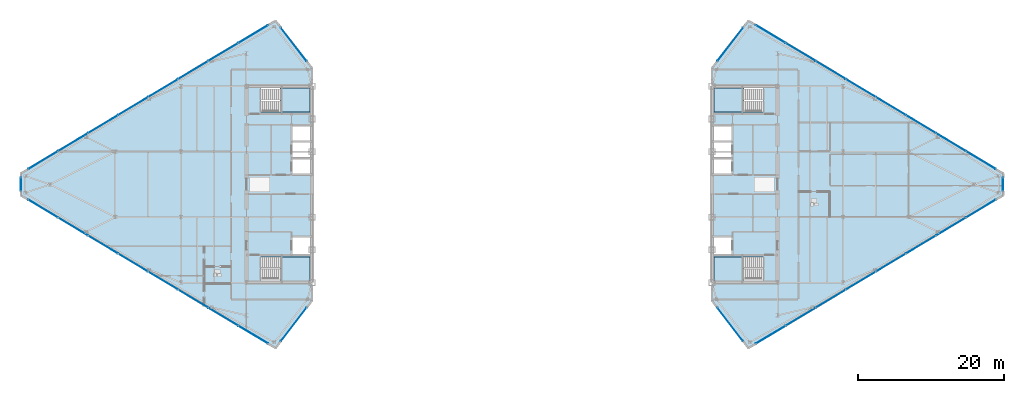
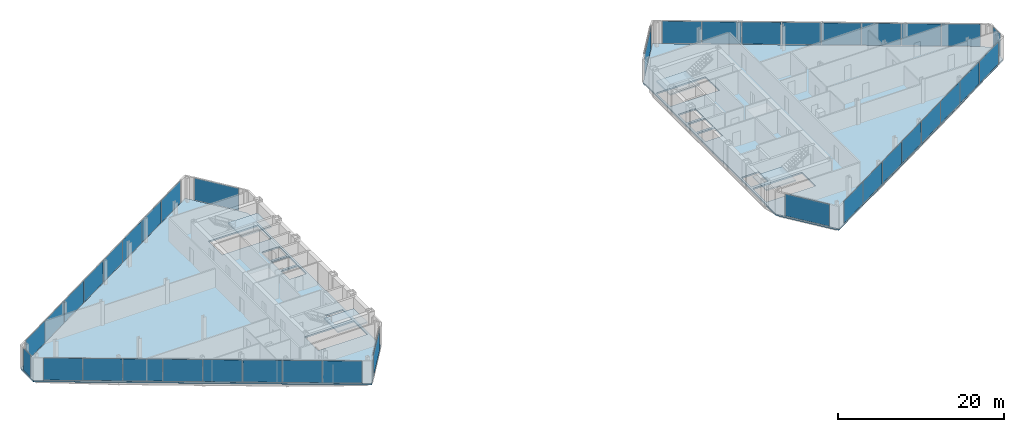
# One storey, part 18 of 25: 38 plates, 6 slabs, 14 elements without a shape of their own.
"""IFC4 building model written with IfcOpenShell, lengths in metres."""

from ifc_helpers import new_model, si_unit, direction, frame, origin, origin_2d, place, context, subcontext, project, spatial, polyline, rectangle, outline, extrude, source, transform, mapped, material, layer, layer_set, type_object, type_shapes, element, aggregate, save


model = new_model("IFC4")

# Units and contexts
model_context = context("Model", 3, precision=1e-05, world=origin(), true_north=direction((0.0, 1.0)))
body_context = subcontext(model_context, "Body", "Model", "MODEL_VIEW")
ifc_project = project(units=[si_unit("LENGTHUNIT", "METRE"), si_unit("AREAUNIT", "SQUARE_METRE"), si_unit("VOLUMEUNIT", "CUBIC_METRE"), si_unit("PLANEANGLEUNIT", "RADIAN"), si_unit("MASSUNIT", "GRAM", prefix="KILO")], contexts=[model_context])

# Site, building, storey
site_placement = place(None, origin())
site = spatial("IfcSite", under=ifc_project, at=site_placement, CompositionType="ELEMENT")
building_placement = place(site_placement, origin())
building = spatial("IfcBuilding", under=site, at=building_placement, Name="Seokmaru Belvedere", CompositionType="ELEMENT")
storey_placement = place(building_placement, frame((0.0, 0.0, 203.10009765625)))
storey = spatial("IfcBuildingStorey", under=building, at=storey_placement, Name="L54", CompositionType="ELEMENT", Elevation=203.10009765625)

# Stair, slab
ifc_material_1 = material(Name="Concrete C40 (40 MPa)", Category="concrete")
stair_type = type_object("IfcStairType", Name="Typical Tower Core Dog-Leg Stair 3600", PredefinedType="TWO_STRAIGHT_RUN_STAIR", material=ifc_material_1)
stair_1_placement = place(storey_placement, origin())
stair_1 = element("IfcStair", 1, at=stair_1_placement, inside=storey, type_object=stair_type, Name="L54 Special Escape Stair ST-W1", PredefinedType="TWO_STRAIGHT_RUN_STAIR")
ifc_layer_1 = layer(ifc_material_1, 0.199951171875)
ifc_layer_set_1 = layer_set([ifc_layer_1], Name="Concrete C40 (40 MPa)")
slab_type_1 = type_object("IfcSlabType", Name="Reinforced Concrete Stair Landing Slab 200", PredefinedType="LANDING", material=ifc_layer_set_1)
slab_1_placement = place(storey_placement, frame((0.0, 0.0, 1.599853515625)))
slab_1 = element("IfcSlab", 2, at=slab_1_placement, type_object=slab_type_1, Name="ST-W1 landing 1", PredefinedType="LANDING", context=body_context, shape_type="SweptSolid", body=[
    extrude(outline(polyline([(-31.8798828125, -13.239990234375), (-27.760009765625, -13.239990234375), (-27.760009765625, -9.949951171875), (-31.8798828125, -9.949951171875), (-31.8798828125, -13.239990234375)])), origin(), (0.0, 0.0, 1.0), 0.199951171875),
])
aggregate(stair_1, [slab_1])

stair_2_placement = place(storey_placement, origin())
stair_2 = element("IfcStair", 3, at=stair_2_placement, inside=storey, type_object=stair_type, Name="L54 Special Escape Stair ST-W2", PredefinedType="TWO_STRAIGHT_RUN_STAIR")
slab_2_placement = place(storey_placement, frame((0.0, 0.0, 1.599853515625)))
slab_2 = element("IfcSlab", 4, at=slab_2_placement, type_object=slab_type_1, Name="ST-W2 landing 1", PredefinedType="LANDING", context=body_context, shape_type="SweptSolid", body=[
    extrude(outline(polyline([(-31.8798828125, 9.949951171875), (-27.760009765625, 9.949951171875), (-27.760009765625, 13.239990234375), (-31.8798828125, 13.239990234375), (-31.8798828125, 9.949951171875)])), origin(), (0.0, 0.0, 1.0), 0.199951171875),
])
aggregate(stair_2, [slab_2])

stair_3_placement = place(storey_placement, origin())
stair_3 = element("IfcStair", 5, at=stair_3_placement, inside=storey, type_object=stair_type, Name="L54 Special Escape Stair ST-E1", PredefinedType="TWO_STRAIGHT_RUN_STAIR")
slab_3_placement = place(storey_placement, frame((0.0, 0.0, 1.599853515625)))
slab_3 = element("IfcSlab", 6, at=slab_3_placement, type_object=slab_type_1, Name="ST-E1 landing 1", PredefinedType="LANDING", context=body_context, shape_type="SweptSolid", body=[
    extrude(outline(polyline([(27.760009765625, -13.239990234375), (31.8798828125, -13.239990234375), (31.8798828125, -9.949951171875), (27.760009765625, -9.949951171875), (27.760009765625, -13.239990234375)])), origin(), (0.0, 0.0, 1.0), 0.199951171875),
])
aggregate(stair_3, [slab_3])

stair_4_placement = place(storey_placement, origin())
stair_4 = element("IfcStair", 7, at=stair_4_placement, inside=storey, type_object=stair_type, Name="L54 Special Escape Stair ST-E2", PredefinedType="TWO_STRAIGHT_RUN_STAIR")
slab_4_placement = place(storey_placement, frame((0.0, 0.0, 1.599853515625)))
slab_4 = element("IfcSlab", 8, at=slab_4_placement, type_object=slab_type_1, Name="ST-E2 landing 1", PredefinedType="LANDING", context=body_context, shape_type="SweptSolid", body=[
    extrude(outline(polyline([(27.760009765625, 9.949951171875), (31.8798828125, 9.949951171875), (31.8798828125, 13.239990234375), (27.760009765625, 13.239990234375), (27.760009765625, 9.949951171875)])), origin(), (0.0, 0.0, 1.0), 0.199951171875),
])
aggregate(stair_4, [slab_4])

# Slabs
ifc_layer_2 = layer(ifc_material_1, 0.219970703125)
ifc_layer_set_2 = layer_set([ifc_layer_2], Name="Concrete C40 (40 MPa)")
slab_type_2 = type_object("IfcSlabType", Name="Typical Tower Composite Floor Slab 220", PredefinedType="FLOOR", material=ifc_layer_set_2)
slab_5_placement = place(storey_placement, frame((0.0, 0.0, -0.22021484375)))
element("IfcSlab", 9, at=slab_5_placement, inside=storey, type_object=slab_type_2, Name="L54 West Leg Floor Slab", PredefinedType="FLOOR", context=body_context, shape_type="SweptSolid", body=[
    extrude(outline(polyline([(-27.5, -16.0), (-27.5, 16.0), (-32.5, 22.5), (-67.5, 1.5), (-67.5, -1.5), (-32.5, -22.5), (-27.5, -16.0)]), holes=[polyline([(-34.60009765625, -13.25), (-27.75, -13.25), (-27.75, -9.949951171875), (-34.60009765625, -9.949951171875), (-34.60009765625, -13.25)]), polyline([(-34.60009765625, 9.949951171875), (-27.75, 9.949951171875), (-27.75, 13.25), (-34.60009765625, 13.25), (-34.60009765625, 9.949951171875)]), polyline([(-30.14990234375, -9.550048828125), (-27.75, -9.550048828125), (-27.75, -7.25), (-30.14990234375, -7.25), (-30.14990234375, -9.550048828125)]), polyline([(-30.14990234375, 1.449951171875), (-27.75, 1.449951171875), (-27.75, 3.449951171875), (-30.14990234375, 3.449951171875), (-30.14990234375, 1.449951171875)]), polyline([(-30.14990234375, 3.75), (-27.75, 3.75), (-27.75, 5.75), (-30.14990234375, 5.75), (-30.14990234375, 3.75)]), polyline([(-30.14990234375, 6.050048828125), (-27.75, 6.050048828125), (-27.75, 8.050048828125), (-30.14990234375, 8.050048828125), (-30.14990234375, 6.050048828125)])]), origin(), (0.0, 0.0, 1.0), 0.22021484375),
])
slab_6_placement = place(storey_placement, frame((0.0, 0.0, -0.22021484375)))
element("IfcSlab", 10, at=slab_6_placement, inside=storey, type_object=slab_type_2, Name="L54 East Leg Floor Slab", PredefinedType="FLOOR", context=body_context, shape_type="SweptSolid", body=[
    extrude(outline(polyline([(32.5, -22.5), (67.5, -1.5), (67.5, 1.5), (32.5, 22.5), (27.5, 16.0), (27.5, -16.0), (32.5, -22.5)]), holes=[polyline([(27.75, -13.25), (34.60009765625, -13.25), (34.60009765625, -9.949951171875), (27.75, -9.949951171875), (27.75, -13.25)]), polyline([(27.75, 9.949951171875), (34.60009765625, 9.949951171875), (34.60009765625, 13.25), (27.75, 13.25), (27.75, 9.949951171875)]), polyline([(27.75, -9.550048828125), (30.14990234375, -9.550048828125), (30.14990234375, -7.25), (27.75, -7.25), (27.75, -9.550048828125)]), polyline([(27.75, 1.449951171875), (30.14990234375, 1.449951171875), (30.14990234375, 3.449951171875), (27.75, 3.449951171875), (27.75, 1.449951171875)]), polyline([(27.75, 3.75), (30.14990234375, 3.75), (30.14990234375, 5.75), (27.75, 5.75), (27.75, 3.75)]), polyline([(27.75, 6.050048828125), (30.14990234375, 6.050048828125), (30.14990234375, 8.050048828125), (27.75, 8.050048828125), (27.75, 6.050048828125)])]), origin(), (0.0, 0.0, 1.0), 0.22021484375),
])

# Curtain wall, plate
ifc_material_2 = material(Name="Bronze Triple Insulating Glass", Category="glass")
ifc_layer_3 = layer(ifc_material_2, 0.179931640625)
ifc_layer_set_3 = layer_set([ifc_layer_3], Name="Bronze Triple Insulating Glass")
curtain_wall_type = type_object("IfcCurtainWallType", Name="High-Rise Wind-Corner Curtain Wall System CW-5", PredefinedType="NOTDEFINED", material=ifc_layer_set_3)
curtain_wall_1_placement = place(storey_placement, origin())
curtain_wall_1 = element("IfcCurtainWall", 11, at=curtain_wall_1_placement, inside=storey, type_object=curtain_wall_type, Name="L54 Curtain Wall WF2", PredefinedType="NOTDEFINED")
ifc_layer_4 = layer(ifc_material_2, 0.035888671875)
ifc_layer_set_4 = layer_set([ifc_layer_4], Name="Bronze Triple Insulating Glass")
plate_type = type_object("IfcPlateType", Name="Bronze Triple Vision Glazing Panel 36", PredefinedType="CURTAIN_PANEL", material=ifc_layer_set_4)
shared_shape_1 = source(origin(), body_context, "Body", "SweptSolid", [
    extrude(rectangle(XDim=5.7705078125, YDim=0.035888671875, at=origin_2d()), origin(), (0.0, 0.0, 1.0), 3.25),
])
plate_1_placement = place(storey_placement, frame((-30.0, 19.25, 0.06494140625), z_axis=(0.0, 0.0, 1.0), x_axis=(-0.609701187349, 0.792631353244, 0.0)))
plate_1 = element("IfcPlate", 12, at=plate_1_placement, type_object=plate_type, Name="CW:L54:WF2 Glazing Panel 1-1", PredefinedType="CURTAIN_PANEL", context=body_context, shape_type="MappedRepresentation", body=[
    mapped(shared_shape_1, transform((0.0, 0.0, 0.0), scale=1.0)),
])
aggregate(curtain_wall_1, [plate_1])

curtain_wall_2_placement = place(storey_placement, origin())
curtain_wall_2 = element("IfcCurtainWall", 13, at=curtain_wall_2_placement, inside=storey, type_object=curtain_wall_type, Name="L54 Curtain Wall WF6", PredefinedType="NOTDEFINED")
plate_2_placement = place(storey_placement, frame((-30.0, -19.25, 0.06494140625), z_axis=(0.0, 0.0, 1.0), x_axis=(0.609701187349, 0.792631353244, 0.0)))
plate_2 = element("IfcPlate", 14, at=plate_2_placement, type_object=plate_type, Name="CW:L54:WF6 Glazing Panel 1-1", PredefinedType="CURTAIN_PANEL", context=body_context, shape_type="MappedRepresentation", body=[
    mapped(shared_shape_1, transform((0.0, 0.0, 0.0), scale=1.0)),
])
aggregate(curtain_wall_2, [plate_2])

curtain_wall_3_placement = place(storey_placement, origin())
curtain_wall_3 = element("IfcCurtainWall", 15, at=curtain_wall_3_placement, inside=storey, type_object=curtain_wall_type, Name="L54 Curtain Wall EF4", PredefinedType="NOTDEFINED")
plate_3_placement = place(storey_placement, frame((30.0, 19.25, 0.06494140625), z_axis=(0.0, 0.0, 1.0), x_axis=(-0.609701187349, -0.792631353244, 0.0)))
plate_3 = element("IfcPlate", 16, at=plate_3_placement, type_object=plate_type, Name="CW:L54:EF4 Glazing Panel 1-1", PredefinedType="CURTAIN_PANEL", context=body_context, shape_type="MappedRepresentation", body=[
    mapped(shared_shape_1, transform((0.0, 0.0, 0.0), scale=1.0)),
])
aggregate(curtain_wall_3, [plate_3])

curtain_wall_4_placement = place(storey_placement, origin())
curtain_wall_4 = element("IfcCurtainWall", 17, at=curtain_wall_4_placement, inside=storey, type_object=curtain_wall_type, Name="L54 Curtain Wall EF6", PredefinedType="NOTDEFINED")
plate_4_placement = place(storey_placement, frame((30.0, -19.25, 0.06494140625), z_axis=(0.0, 0.0, 1.0), x_axis=(0.609701187349, -0.792631353244, 0.0)))
plate_4 = element("IfcPlate", 18, at=plate_4_placement, type_object=plate_type, Name="CW:L54:EF6 Glazing Panel 1-1", PredefinedType="CURTAIN_PANEL", context=body_context, shape_type="MappedRepresentation", body=[
    mapped(shared_shape_1, transform((0.0, 0.0, 0.0), scale=1.0)),
])
aggregate(curtain_wall_4, [plate_4])

# Curtain wall, plates
curtain_wall_5_placement = place(storey_placement, origin())
curtain_wall_5 = element("IfcCurtainWall", 19, at=curtain_wall_5_placement, inside=storey, type_object=curtain_wall_type, Name="L54 Curtain Wall WF3", PredefinedType="NOTDEFINED")
shared_shape_2 = source(origin(), body_context, "Body", "SweptSolid", [
    extrude(rectangle(XDim=4.717041015625, YDim=0.035888671875, at=origin_2d()), origin(), (0.0, 0.0, 1.0), 3.25),
])
plate_5_placement = place(storey_placement, frame((-35.564208984375, 20.661376953125, 0.06494140625), z_axis=(0.0, 0.0, 1.0), x_axis=(-0.85749343335, -0.514494909364, 0.0)))
plate_5 = element("IfcPlate", 20, at=plate_5_placement, type_object=plate_type, Name="CW:L54:WF3 Glazing Panel 1-1", PredefinedType="CURTAIN_PANEL", context=body_context, shape_type="MappedRepresentation", body=[
    mapped(shared_shape_2, transform((0.0, 0.0, 0.0), scale=1.0)),
])
plate_6_placement = place(storey_placement, frame((-64.435791015625, 3.338623046875, 0.06494140625), z_axis=(0.0, 0.0, 1.0), x_axis=(-0.85749343335, -0.514494909364, 0.0)))
plate_6 = element("IfcPlate", 21, at=plate_6_placement, type_object=plate_type, Name="CW:L54:WF3 Glazing Panel 8-1", PredefinedType="CURTAIN_PANEL", context=body_context, shape_type="MappedRepresentation", body=[
    mapped(shared_shape_2, transform((0.0, 0.0, 0.0), scale=1.0)),
])

curtain_wall_6_placement = place(storey_placement, origin())
curtain_wall_6 = element("IfcCurtainWall", 22, at=curtain_wall_6_placement, inside=storey, type_object=curtain_wall_type, Name="L54 Curtain Wall WF5", PredefinedType="NOTDEFINED")
plate_7_placement = place(storey_placement, frame((-64.435791015625, -3.338623046875, 0.06494140625), z_axis=(0.0, 0.0, 1.0), x_axis=(0.85749343335, -0.514494909364, 0.0)))
plate_7 = element("IfcPlate", 23, at=plate_7_placement, type_object=plate_type, Name="CW:L54:WF5 Glazing Panel 1-1", PredefinedType="CURTAIN_PANEL", context=body_context, shape_type="MappedRepresentation", body=[
    mapped(shared_shape_2, transform((0.0, 0.0, 0.0), scale=1.0)),
])
plate_8_placement = place(storey_placement, frame((-35.564208984375, -20.661376953125, 0.06494140625), z_axis=(0.0, 0.0, 1.0), x_axis=(0.85749343335, -0.514494909364, 0.0)))
plate_8 = element("IfcPlate", 24, at=plate_8_placement, type_object=plate_type, Name="CW:L54:WF5 Glazing Panel 8-1", PredefinedType="CURTAIN_PANEL", context=body_context, shape_type="MappedRepresentation", body=[
    mapped(shared_shape_2, transform((0.0, 0.0, 0.0), scale=1.0)),
])

curtain_wall_7_placement = place(storey_placement, origin())
curtain_wall_7 = element("IfcCurtainWall", 25, at=curtain_wall_7_placement, inside=storey, type_object=curtain_wall_type, Name="L54 Curtain Wall EF1", PredefinedType="NOTDEFINED")
plate_9_placement = place(storey_placement, frame((35.564208984375, -20.661376953125, 0.06494140625), z_axis=(0.0, 0.0, 1.0), x_axis=(0.85749343335, 0.514494909364, 0.0)))
plate_9 = element("IfcPlate", 26, at=plate_9_placement, type_object=plate_type, Name="CW:L54:EF1 Glazing Panel 1-1", PredefinedType="CURTAIN_PANEL", context=body_context, shape_type="MappedRepresentation", body=[
    mapped(shared_shape_2, transform((0.0, 0.0, 0.0), scale=1.0)),
])
plate_10_placement = place(storey_placement, frame((64.435791015625, -3.338623046875, 0.06494140625), z_axis=(0.0, 0.0, 1.0), x_axis=(0.85749343335, 0.514494909364, 0.0)))
plate_10 = element("IfcPlate", 27, at=plate_10_placement, type_object=plate_type, Name="CW:L54:EF1 Glazing Panel 8-1", PredefinedType="CURTAIN_PANEL", context=body_context, shape_type="MappedRepresentation", body=[
    mapped(shared_shape_2, transform((0.0, 0.0, 0.0), scale=1.0)),
])

curtain_wall_8_placement = place(storey_placement, origin())
curtain_wall_8 = element("IfcCurtainWall", 28, at=curtain_wall_8_placement, inside=storey, type_object=curtain_wall_type, Name="L54 Curtain Wall EF3", PredefinedType="NOTDEFINED")
plate_11_placement = place(storey_placement, frame((64.435791015625, 3.338623046875, 0.06494140625), z_axis=(0.0, 0.0, 1.0), x_axis=(-0.85749343335, 0.514494909364, 0.0)))
plate_11 = element("IfcPlate", 29, at=plate_11_placement, type_object=plate_type, Name="CW:L54:EF3 Glazing Panel 1-1", PredefinedType="CURTAIN_PANEL", context=body_context, shape_type="MappedRepresentation", body=[
    mapped(shared_shape_2, transform((0.0, 0.0, 0.0), scale=1.0)),
])
plate_12_placement = place(storey_placement, frame((35.564208984375, 20.661376953125, 0.06494140625), z_axis=(0.0, 0.0, 1.0), x_axis=(-0.85749343335, 0.514494909364, 0.0)))
plate_12 = element("IfcPlate", 30, at=plate_12_placement, type_object=plate_type, Name="CW:L54:EF3 Glazing Panel 8-1", PredefinedType="CURTAIN_PANEL", context=body_context, shape_type="MappedRepresentation", body=[
    mapped(shared_shape_2, transform((0.0, 0.0, 0.0), scale=1.0)),
])

# Plate
shared_shape_3 = source(origin(), body_context, "Body", "SweptSolid", [
    extrude(rectangle(XDim=4.74951171875, YDim=0.035888671875, at=origin_2d()), origin(), (0.0, 0.0, 1.0), 3.25),
])
plate_13_placement = place(storey_placement, frame((-39.6787109375, 18.192626953125, 0.06494140625), z_axis=(0.0, 0.0, 1.0), x_axis=(-0.85749343335, -0.514494909364, 0.0)))
plate_13 = element("IfcPlate", 31, at=plate_13_placement, type_object=plate_type, Name="CW:L54:WF3 Glazing Panel 2-1", PredefinedType="CURTAIN_PANEL", context=body_context, shape_type="MappedRepresentation", body=[
    mapped(shared_shape_3, transform((0.0, 0.0, 0.0), scale=1.0)),
])

plate_14_placement = place(storey_placement, frame((-43.807373046875, 15.715576171875, 0.06494140625), z_axis=(0.0, 0.0, 1.0), x_axis=(-0.85749343335, -0.514494909364, 0.0)))
plate_14 = element("IfcPlate", 32, at=plate_14_placement, type_object=plate_type, Name="CW:L54:WF3 Glazing Panel 3-1", PredefinedType="CURTAIN_PANEL", context=body_context, shape_type="MappedRepresentation", body=[
    mapped(shared_shape_3, transform((0.0, 0.0, 0.0), scale=1.0)),
])

plate_15_placement = place(storey_placement, frame((-47.935791015625, 13.238525390625, 0.06494140625), z_axis=(0.0, 0.0, 1.0), x_axis=(-0.85749343335, -0.514494909364, 0.0)))
plate_15 = element("IfcPlate", 33, at=plate_15_placement, type_object=plate_type, Name="CW:L54:WF3 Glazing Panel 4-1", PredefinedType="CURTAIN_PANEL", context=body_context, shape_type="MappedRepresentation", body=[
    mapped(shared_shape_3, transform((0.0, 0.0, 0.0), scale=1.0)),
])

plate_16_placement = place(storey_placement, frame((-52.064208984375, 10.761474609375, 0.06494140625), z_axis=(0.0, 0.0, 1.0), x_axis=(-0.85749343335, -0.514494909364, 0.0)))
plate_16 = element("IfcPlate", 34, at=plate_16_placement, type_object=plate_type, Name="CW:L54:WF3 Glazing Panel 5-1", PredefinedType="CURTAIN_PANEL", context=body_context, shape_type="MappedRepresentation", body=[
    mapped(shared_shape_3, transform((0.0, 0.0, 0.0), scale=1.0)),
])

plate_17_placement = place(storey_placement, frame((-56.192626953125, 8.284423828125, 0.06494140625), z_axis=(0.0, 0.0, 1.0), x_axis=(-0.85749343335, -0.514494909364, 0.0)))
plate_17 = element("IfcPlate", 35, at=plate_17_placement, type_object=plate_type, Name="CW:L54:WF3 Glazing Panel 6-1", PredefinedType="CURTAIN_PANEL", context=body_context, shape_type="MappedRepresentation", body=[
    mapped(shared_shape_3, transform((0.0, 0.0, 0.0), scale=1.0)),
])

plate_18_placement = place(storey_placement, frame((-60.3212890625, 5.807373046875, 0.06494140625), z_axis=(0.0, 0.0, 1.0), x_axis=(-0.85749343335, -0.514494909364, 0.0)))
plate_18 = element("IfcPlate", 36, at=plate_18_placement, type_object=plate_type, Name="CW:L54:WF3 Glazing Panel 7-1", PredefinedType="CURTAIN_PANEL", context=body_context, shape_type="MappedRepresentation", body=[
    mapped(shared_shape_3, transform((0.0, 0.0, 0.0), scale=1.0)),
])

aggregate(curtain_wall_5, [plate_5, plate_13, plate_14, plate_15, plate_16, plate_17, plate_18, plate_6])

plate_19_placement = place(storey_placement, frame((-60.3212890625, -5.807373046875, 0.06494140625), z_axis=(0.0, 0.0, 1.0), x_axis=(0.85749343335, -0.514494909364, 0.0)))
plate_19 = element("IfcPlate", 37, at=plate_19_placement, type_object=plate_type, Name="CW:L54:WF5 Glazing Panel 2-1", PredefinedType="CURTAIN_PANEL", context=body_context, shape_type="MappedRepresentation", body=[
    mapped(shared_shape_3, transform((0.0, 0.0, 0.0), scale=1.0)),
])

plate_20_placement = place(storey_placement, frame((-56.192626953125, -8.284423828125, 0.06494140625), z_axis=(0.0, 0.0, 1.0), x_axis=(0.85749343335, -0.514494909364, 0.0)))
plate_20 = element("IfcPlate", 38, at=plate_20_placement, type_object=plate_type, Name="CW:L54:WF5 Glazing Panel 3-1", PredefinedType="CURTAIN_PANEL", context=body_context, shape_type="MappedRepresentation", body=[
    mapped(shared_shape_3, transform((0.0, 0.0, 0.0), scale=1.0)),
])

plate_21_placement = place(storey_placement, frame((-52.064208984375, -10.761474609375, 0.06494140625), z_axis=(0.0, 0.0, 1.0), x_axis=(0.85749343335, -0.514494909364, 0.0)))
plate_21 = element("IfcPlate", 39, at=plate_21_placement, type_object=plate_type, Name="CW:L54:WF5 Glazing Panel 4-1", PredefinedType="CURTAIN_PANEL", context=body_context, shape_type="MappedRepresentation", body=[
    mapped(shared_shape_3, transform((0.0, 0.0, 0.0), scale=1.0)),
])

plate_22_placement = place(storey_placement, frame((-47.935791015625, -13.238525390625, 0.06494140625), z_axis=(0.0, 0.0, 1.0), x_axis=(0.85749343335, -0.514494909364, 0.0)))
plate_22 = element("IfcPlate", 40, at=plate_22_placement, type_object=plate_type, Name="CW:L54:WF5 Glazing Panel 5-1", PredefinedType="CURTAIN_PANEL", context=body_context, shape_type="MappedRepresentation", body=[
    mapped(shared_shape_3, transform((0.0, 0.0, 0.0), scale=1.0)),
])

plate_23_placement = place(storey_placement, frame((-43.807373046875, -15.715576171875, 0.06494140625), z_axis=(0.0, 0.0, 1.0), x_axis=(0.85749343335, -0.514494909364, 0.0)))
plate_23 = element("IfcPlate", 41, at=plate_23_placement, type_object=plate_type, Name="CW:L54:WF5 Glazing Panel 6-1", PredefinedType="CURTAIN_PANEL", context=body_context, shape_type="MappedRepresentation", body=[
    mapped(shared_shape_3, transform((0.0, 0.0, 0.0), scale=1.0)),
])

plate_24_placement = place(storey_placement, frame((-39.6787109375, -18.192626953125, 0.06494140625), z_axis=(0.0, 0.0, 1.0), x_axis=(0.85749343335, -0.514494909364, 0.0)))
plate_24 = element("IfcPlate", 42, at=plate_24_placement, type_object=plate_type, Name="CW:L54:WF5 Glazing Panel 7-1", PredefinedType="CURTAIN_PANEL", context=body_context, shape_type="MappedRepresentation", body=[
    mapped(shared_shape_3, transform((0.0, 0.0, 0.0), scale=1.0)),
])

aggregate(curtain_wall_6, [plate_7, plate_19, plate_20, plate_21, plate_22, plate_23, plate_24, plate_8])

plate_25_placement = place(storey_placement, frame((39.6787109375, -18.192626953125, 0.06494140625), z_axis=(0.0, 0.0, 1.0), x_axis=(0.85749343335, 0.514494909364, 0.0)))
plate_25 = element("IfcPlate", 43, at=plate_25_placement, type_object=plate_type, Name="CW:L54:EF1 Glazing Panel 2-1", PredefinedType="CURTAIN_PANEL", context=body_context, shape_type="MappedRepresentation", body=[
    mapped(shared_shape_3, transform((0.0, 0.0, 0.0), scale=1.0)),
])

plate_26_placement = place(storey_placement, frame((43.807373046875, -15.715576171875, 0.06494140625), z_axis=(0.0, 0.0, 1.0), x_axis=(0.85749343335, 0.514494909364, 0.0)))
plate_26 = element("IfcPlate", 44, at=plate_26_placement, type_object=plate_type, Name="CW:L54:EF1 Glazing Panel 3-1", PredefinedType="CURTAIN_PANEL", context=body_context, shape_type="MappedRepresentation", body=[
    mapped(shared_shape_3, transform((0.0, 0.0, 0.0), scale=1.0)),
])

plate_27_placement = place(storey_placement, frame((47.935791015625, -13.238525390625, 0.06494140625), z_axis=(0.0, 0.0, 1.0), x_axis=(0.85749343335, 0.514494909364, 0.0)))
plate_27 = element("IfcPlate", 45, at=plate_27_placement, type_object=plate_type, Name="CW:L54:EF1 Glazing Panel 4-1", PredefinedType="CURTAIN_PANEL", context=body_context, shape_type="MappedRepresentation", body=[
    mapped(shared_shape_3, transform((0.0, 0.0, 0.0), scale=1.0)),
])

plate_28_placement = place(storey_placement, frame((52.064208984375, -10.761474609375, 0.06494140625), z_axis=(0.0, 0.0, 1.0), x_axis=(0.85749343335, 0.514494909364, 0.0)))
plate_28 = element("IfcPlate", 46, at=plate_28_placement, type_object=plate_type, Name="CW:L54:EF1 Glazing Panel 5-1", PredefinedType="CURTAIN_PANEL", context=body_context, shape_type="MappedRepresentation", body=[
    mapped(shared_shape_3, transform((0.0, 0.0, 0.0), scale=1.0)),
])

plate_29_placement = place(storey_placement, frame((56.192626953125, -8.284423828125, 0.06494140625), z_axis=(0.0, 0.0, 1.0), x_axis=(0.85749343335, 0.514494909364, 0.0)))
plate_29 = element("IfcPlate", 47, at=plate_29_placement, type_object=plate_type, Name="CW:L54:EF1 Glazing Panel 6-1", PredefinedType="CURTAIN_PANEL", context=body_context, shape_type="MappedRepresentation", body=[
    mapped(shared_shape_3, transform((0.0, 0.0, 0.0), scale=1.0)),
])

plate_30_placement = place(storey_placement, frame((60.3212890625, -5.807373046875, 0.06494140625), z_axis=(0.0, 0.0, 1.0), x_axis=(0.85749343335, 0.514494909364, 0.0)))
plate_30 = element("IfcPlate", 48, at=plate_30_placement, type_object=plate_type, Name="CW:L54:EF1 Glazing Panel 7-1", PredefinedType="CURTAIN_PANEL", context=body_context, shape_type="MappedRepresentation", body=[
    mapped(shared_shape_3, transform((0.0, 0.0, 0.0), scale=1.0)),
])

aggregate(curtain_wall_7, [plate_9, plate_25, plate_26, plate_27, plate_28, plate_29, plate_30, plate_10])

plate_31_placement = place(storey_placement, frame((60.3212890625, 5.807373046875, 0.06494140625), z_axis=(0.0, 0.0, 1.0), x_axis=(-0.85749343335, 0.514494909364, 0.0)))
plate_31 = element("IfcPlate", 49, at=plate_31_placement, type_object=plate_type, Name="CW:L54:EF3 Glazing Panel 2-1", PredefinedType="CURTAIN_PANEL", context=body_context, shape_type="MappedRepresentation", body=[
    mapped(shared_shape_3, transform((0.0, 0.0, 0.0), scale=1.0)),
])

plate_32_placement = place(storey_placement, frame((56.192626953125, 8.284423828125, 0.06494140625), z_axis=(0.0, 0.0, 1.0), x_axis=(-0.85749343335, 0.514494909364, 0.0)))
plate_32 = element("IfcPlate", 50, at=plate_32_placement, type_object=plate_type, Name="CW:L54:EF3 Glazing Panel 3-1", PredefinedType="CURTAIN_PANEL", context=body_context, shape_type="MappedRepresentation", body=[
    mapped(shared_shape_3, transform((0.0, 0.0, 0.0), scale=1.0)),
])

plate_33_placement = place(storey_placement, frame((52.064208984375, 10.761474609375, 0.06494140625), z_axis=(0.0, 0.0, 1.0), x_axis=(-0.85749343335, 0.514494909364, 0.0)))
plate_33 = element("IfcPlate", 51, at=plate_33_placement, type_object=plate_type, Name="CW:L54:EF3 Glazing Panel 4-1", PredefinedType="CURTAIN_PANEL", context=body_context, shape_type="MappedRepresentation", body=[
    mapped(shared_shape_3, transform((0.0, 0.0, 0.0), scale=1.0)),
])

plate_34_placement = place(storey_placement, frame((47.935791015625, 13.238525390625, 0.06494140625), z_axis=(0.0, 0.0, 1.0), x_axis=(-0.85749343335, 0.514494909364, 0.0)))
plate_34 = element("IfcPlate", 52, at=plate_34_placement, type_object=plate_type, Name="CW:L54:EF3 Glazing Panel 5-1", PredefinedType="CURTAIN_PANEL", context=body_context, shape_type="MappedRepresentation", body=[
    mapped(shared_shape_3, transform((0.0, 0.0, 0.0), scale=1.0)),
])

plate_35_placement = place(storey_placement, frame((43.807373046875, 15.715576171875, 0.06494140625), z_axis=(0.0, 0.0, 1.0), x_axis=(-0.85749343335, 0.514494909364, 0.0)))
plate_35 = element("IfcPlate", 53, at=plate_35_placement, type_object=plate_type, Name="CW:L54:EF3 Glazing Panel 6-1", PredefinedType="CURTAIN_PANEL", context=body_context, shape_type="MappedRepresentation", body=[
    mapped(shared_shape_3, transform((0.0, 0.0, 0.0), scale=1.0)),
])

plate_36_placement = place(storey_placement, frame((39.6787109375, 18.192626953125, 0.06494140625), z_axis=(0.0, 0.0, 1.0), x_axis=(-0.85749343335, 0.514494909364, 0.0)))
plate_36 = element("IfcPlate", 54, at=plate_36_placement, type_object=plate_type, Name="CW:L54:EF3 Glazing Panel 7-1", PredefinedType="CURTAIN_PANEL", context=body_context, shape_type="MappedRepresentation", body=[
    mapped(shared_shape_3, transform((0.0, 0.0, 0.0), scale=1.0)),
])

aggregate(curtain_wall_8, [plate_11, plate_31, plate_32, plate_33, plate_34, plate_35, plate_36, plate_12])

# Curtain wall, plate
curtain_wall_9_placement = place(storey_placement, origin())
curtain_wall_9 = element("IfcCurtainWall", 55, at=curtain_wall_9_placement, inside=storey, type_object=curtain_wall_type, Name="L54 Curtain Wall WF4", PredefinedType="NOTDEFINED")
shared_shape_4 = source(origin(), body_context, "Body", "SweptSolid", [
    extrude(rectangle(XDim=1.77001953125, YDim=0.035888671875, at=origin_2d()), origin(), (0.0, 0.0, 1.0), 3.25),
])
type_shapes(plate_type, [shared_shape_1, shared_shape_2, shared_shape_3, shared_shape_4])
plate_37_placement = place(storey_placement, frame((-67.5, 0.0, 0.06494140625), z_axis=(0.0, 0.0, 1.0), x_axis=(0.0, -1.0, 0.0)))
plate_37 = element("IfcPlate", 56, at=plate_37_placement, type_object=plate_type, Name="CW:L54:WF4 Glazing Panel 1-1", PredefinedType="CURTAIN_PANEL", context=body_context, shape_type="MappedRepresentation", body=[
    mapped(shared_shape_4, transform((0.0, 0.0, 0.0), scale=1.0)),
])
aggregate(curtain_wall_9, [plate_37])

curtain_wall_10_placement = place(storey_placement, origin())
curtain_wall_10 = element("IfcCurtainWall", 57, at=curtain_wall_10_placement, inside=storey, type_object=curtain_wall_type, Name="L54 Curtain Wall EF2", PredefinedType="NOTDEFINED")
plate_38_placement = place(storey_placement, frame((67.5, 0.0, 0.06494140625), z_axis=(0.0, 0.0, 1.0), x_axis=(0.0, 1.0, 0.0)))
plate_38 = element("IfcPlate", 58, at=plate_38_placement, type_object=plate_type, Name="CW:L54:EF2 Glazing Panel 1-1", PredefinedType="CURTAIN_PANEL", context=body_context, shape_type="MappedRepresentation", body=[
    mapped(shared_shape_4, transform((0.0, 0.0, 0.0), scale=1.0)),
])
aggregate(curtain_wall_10, [plate_38])

save(model, "model.ifc")
